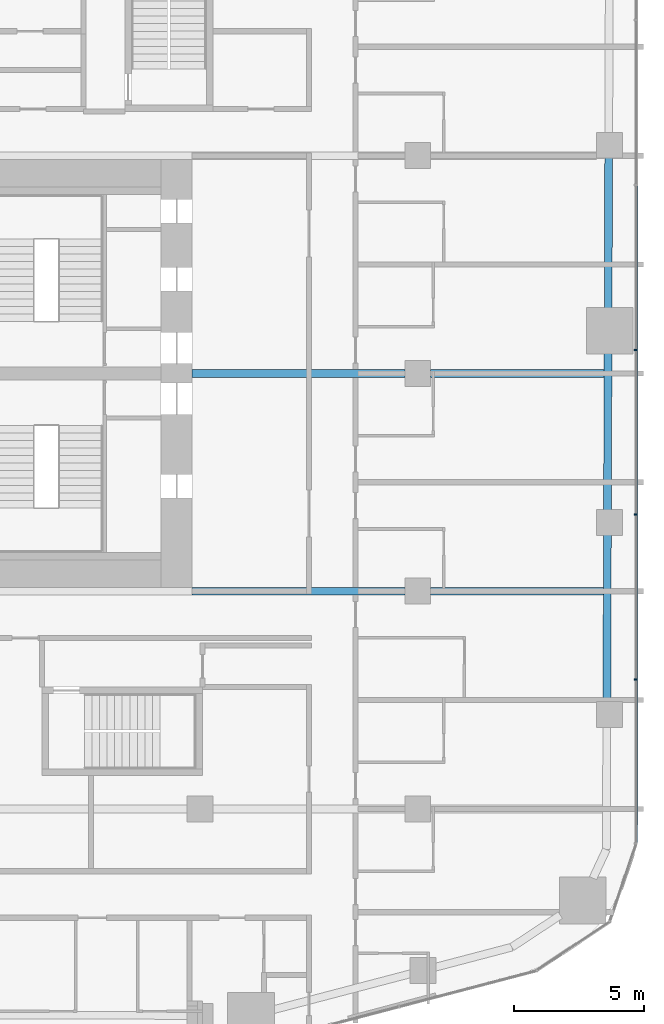
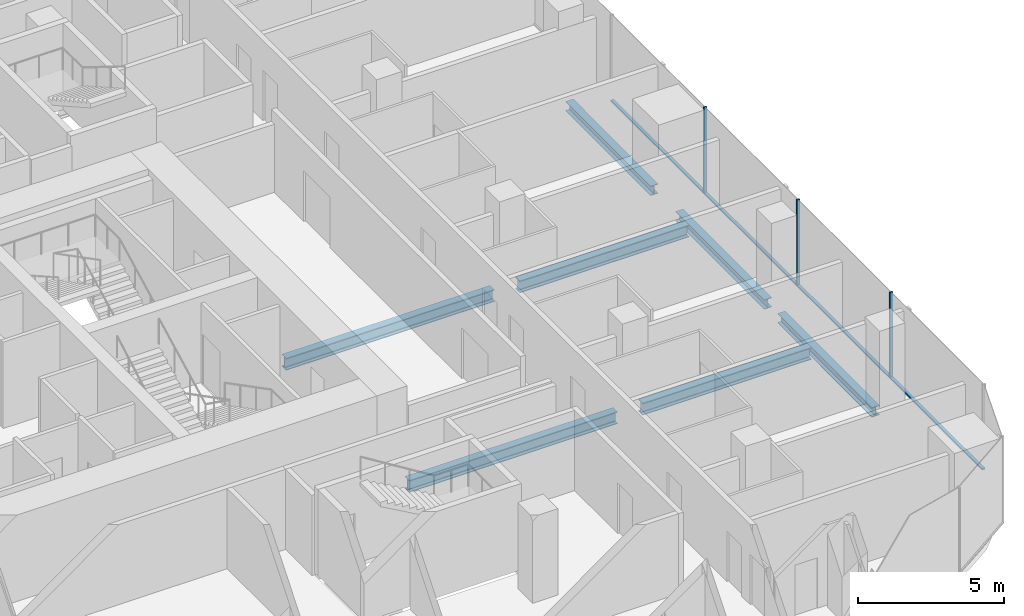
# One storey, part 7 of 26: 7 beams, 7 members, 1 element without a shape of its own.
"""IFC4 building model written with IfcOpenShell, lengths in metres."""

from ifc_helpers import new_model, si_unit, direction, frame, origin, origin_2d, place, context, subcontext, project, spatial, rectangle, i_section, extrude, material, layer, layer_set, material_profile, profile_set, type_object, element, aggregate, save


model = new_model("IFC4")

# Units and contexts
model_context = context("Model", 3, precision=1e-05, world=origin(), true_north=direction((0.0, 1.0)))
body_context = subcontext(model_context, "Body", "Model", "MODEL_VIEW")
ifc_project = project(units=[si_unit("LENGTHUNIT", "METRE"), si_unit("AREAUNIT", "SQUARE_METRE"), si_unit("VOLUMEUNIT", "CUBIC_METRE"), si_unit("PLANEANGLEUNIT", "RADIAN"), si_unit("MASSUNIT", "GRAM", prefix="KILO")], contexts=[model_context])

# Site, building, storey
site_placement = place(None, origin())
site = spatial("IfcSite", under=ifc_project, at=site_placement, CompositionType="ELEMENT")
building_placement = place(site_placement, origin())
building = spatial("IfcBuilding", under=site, at=building_placement, Name="Marenta Gate Hotel Tower", CompositionType="ELEMENT")
storey_placement = place(building_placement, frame((0.0, 0.0, 79.699951171875)))
storey = spatial("IfcBuildingStorey", under=building, at=storey_placement, Name="L18", CompositionType="ELEMENT", Elevation=79.699951171875)

# Beams
ifc_material_1 = material(Name="Steel S355", Category="steel")
ifc_material_profile_1 = material_profile(ifc_material_1, i_section(OverallWidth=0.300048828125, OverallDepth=0.39990234375, WebThickness=0.013427734375, FlangeThickness=0.02392578125, FilletRadius=0.027099609375, at=origin_2d()), Name="HEB 400")
ifc_profile_set_1 = profile_set([ifc_material_profile_1], Name="Steel S355")
beam_type_1 = type_object("IfcBeamType", Name="Edge beam HEB 400", PredefinedType="SPANDREL", material=ifc_profile_set_1)
beam_1_placement = place(storey_placement, frame((28.364013671875, 16.7431640625, -0.4599609375), z_axis=(-0.003306389661, -0.999994533879, 0.0), x_axis=(0.999994533879, -0.003306389661, 0.0)))
element("IfcBeam", 1, at=beam_1_placement, inside=storey, type_object=beam_type_1, Name="L18-EB-24", PredefinedType="SPANDREL", context=body_context, shape_type="SweptSolid", body=[
    extrude(i_section(OverallWidth=0.300048828125, OverallDepth=0.39990234375, WebThickness=0.013427734375, FlangeThickness=0.02392578125, FilletRadius=0.027099609375, at=origin_2d()), origin(), (0.0, 0.0, 1.0), 5.833251953125),
])
beam_2_placement = place(storey_placement, frame((28.3388671875, 9.18994140625, -0.4599609375), z_axis=(-0.003332378012, -0.999994447613, 0.0), x_axis=(0.999994447613, -0.003332378012, 0.0)))
element("IfcBeam", 2, at=beam_2_placement, inside=storey, type_object=beam_type_1, Name="L18-EB-25", PredefinedType="SPANDREL", context=body_context, shape_type="SweptSolid", body=[
    extrude(i_section(OverallWidth=0.300048828125, OverallDepth=0.39990234375, WebThickness=0.013427734375, FlangeThickness=0.02392578125, FilletRadius=0.027099609375, at=origin_2d()), origin(), (0.0, 0.0, 1.0), 6.080810546875),
])
beam_3_placement = place(storey_placement, frame((28.315673828125, 2.189208984375, -0.4599609375), z_axis=(-0.003352525703, -0.99999438027, 0.0), x_axis=(0.99999438027, -0.003352525703, 0.0)))
element("IfcBeam", 3, at=beam_3_placement, inside=storey, type_object=beam_type_1, Name="L18-EB-26", PredefinedType="SPANDREL", context=body_context, shape_type="SweptSolid", body=[
    extrude(i_section(OverallWidth=0.300048828125, OverallDepth=0.39990234375, WebThickness=0.013427734375, FlangeThickness=0.02392578125, FilletRadius=0.027099609375, at=origin_2d()), origin(), (0.0, 0.0, 1.0), 6.481201171875),
])
ifc_material_2 = material(Name="Steel S355", Category="steel")
ifc_material_profile_2 = material_profile(ifc_material_2, i_section(OverallWidth=0.300048828125, OverallDepth=0.5, WebThickness=0.014404296875, FlangeThickness=0.028076171875, FilletRadius=0.027099609375, at=origin_2d()), Name="HEB 500")
ifc_profile_set_2 = profile_set([ifc_material_profile_2], Name="Steel S355")
beam_type_2 = type_object("IfcBeamType", Name="Girder HEB 500", PredefinedType="BEAM", material=ifc_profile_set_2)
beam_4_placement = place(storey_placement, frame((12.300048828125, 0.0, -0.510009765625), z_axis=(1.0, 0.0, 0.0), x_axis=(0.0, 1.0, 0.0)))
element("IfcBeam", 4, at=beam_4_placement, inside=storey, type_object=beam_type_2, Name="L18-GD-11", PredefinedType="BEAM", context=body_context, shape_type="SweptSolid", body=[
    extrude(i_section(OverallWidth=0.300048828125, OverallDepth=0.5, WebThickness=0.014404296875, FlangeThickness=0.028076171875, FilletRadius=0.027099609375, at=origin_2d()), origin(), (0.0, 0.0, 1.0), 8.199951171875),
])
beam_5_placement = place(storey_placement, frame((21.5, 0.0, -0.510009765625), z_axis=(1.0, 0.0, 0.0), x_axis=(0.0, 1.0, 0.0)))
element("IfcBeam", 5, at=beam_5_placement, inside=storey, type_object=beam_type_2, Name="L18-GD-12", PredefinedType="BEAM", context=body_context, shape_type="SweptSolid", body=[
    extrude(i_section(OverallWidth=0.300048828125, OverallDepth=0.5, WebThickness=0.014404296875, FlangeThickness=0.028076171875, FilletRadius=0.027099609375, at=origin_2d()), origin(), (0.0, 0.0, 1.0), 6.658203125),
])
beam_6_placement = place(storey_placement, frame((12.300048828125, 8.39990234375, -0.510009765625), z_axis=(1.0, 0.0, 0.0), x_axis=(0.0, 1.0, 0.0)))
element("IfcBeam", 6, at=beam_6_placement, inside=storey, type_object=beam_type_2, Name="L18-GD-15", PredefinedType="BEAM", context=body_context, shape_type="SweptSolid", body=[
    extrude(i_section(OverallWidth=0.300048828125, OverallDepth=0.5, WebThickness=0.014404296875, FlangeThickness=0.028076171875, FilletRadius=0.027099609375, at=origin_2d()), origin(), (0.0, 0.0, 1.0), 8.199951171875),
])
beam_7_placement = place(storey_placement, frame((21.5, 8.39990234375, -0.510009765625), z_axis=(1.0, 0.0, 0.0), x_axis=(0.0, 1.0, 0.0)))
element("IfcBeam", 7, at=beam_7_placement, inside=storey, type_object=beam_type_2, Name="L18-GD-16", PredefinedType="BEAM", context=body_context, shape_type="SweptSolid", body=[
    extrude(i_section(OverallWidth=0.300048828125, OverallDepth=0.5, WebThickness=0.014404296875, FlangeThickness=0.028076171875, FilletRadius=0.027099609375, at=origin_2d()), origin(), (0.0, 0.0, 1.0), 6.686279296875),
])

# Curtain wall, members
ifc_material_3 = material(Name="Tinted insulated glass in bronze anodised frame", Category="glass")
ifc_layer = layer(ifc_material_3, 0.1201171875)
ifc_layer_set = layer_set([ifc_layer], Name="Tinted insulated glass in bronze anodised frame")
curtain_wall_type = type_object("IfcCurtainWallType", Name="Tower unitised curtain wall CW1", PredefinedType="NOTDEFINED", material=ifc_layer_set)
curtain_wall_placement = place(storey_placement, origin())
curtain_wall = element("IfcCurtainWall", 8, at=curtain_wall_placement, inside=storey, type_object=curtain_wall_type, Name="CW1 run G11", PredefinedType="NOTDEFINED")
ifc_material_4 = material(Name="Bronze anodised aluminium", Category="aluminium")
ifc_material_profile_3 = material_profile(ifc_material_4, rectangle(XDim=0.1201171875, YDim=0.06005859375, at=origin_2d()), Name="Mullion CW1 60x120 bronze anodised aluminium")
ifc_profile_set_3 = profile_set([ifc_material_profile_3], Name="Bronze anodised aluminium")
member_type_1 = type_object("IfcMemberType", Name="Mullion CW1 60x120 bronze anodised aluminium", PredefinedType="MULLION", material=ifc_profile_set_3)
member_1_placement = place(storey_placement, frame((29.4140625, -3.407958984375, 0.0), z_axis=(0.0, 0.0, 1.0), x_axis=(-1.0, 0.0, 0.0)))
member_1 = element("IfcMember", 9, at=member_1_placement, type_object=member_type_1, Name="CW1 mullion 2", PredefinedType="MULLION", context=body_context, shape_type="SweptSolid", body=[
    extrude(rectangle(XDim=0.1201171875, YDim=0.06005859375, at=origin_2d()), origin(), (0.0, 0.0, 1.0), 3.60009765625),
])
member_2_placement = place(storey_placement, frame((29.4140625, 2.951904296875, 0.0), z_axis=(0.0, 0.0, 1.0), x_axis=(-1.0, 0.0, 0.0)))
member_2 = element("IfcMember", 10, at=member_2_placement, type_object=member_type_1, Name="CW1 mullion 3", PredefinedType="MULLION", context=body_context, shape_type="SweptSolid", body=[
    extrude(rectangle(XDim=0.1201171875, YDim=0.06005859375, at=origin_2d()), origin(), (0.0, 0.0, 1.0), 3.60009765625),
])
member_3_placement = place(storey_placement, frame((29.4140625, 9.31201171875, 0.0), z_axis=(0.0, 0.0, 1.0), x_axis=(-1.0, 0.0, 0.0)))
member_3 = element("IfcMember", 11, at=member_3_placement, type_object=member_type_1, Name="CW1 mullion 4", PredefinedType="MULLION", context=body_context, shape_type="SweptSolid", body=[
    extrude(rectangle(XDim=0.1201171875, YDim=0.06005859375, at=origin_2d()), origin(), (0.0, 0.0, 1.0), 3.60009765625),
])
ifc_material_5 = material(Name="Bronze anodised aluminium", Category="aluminium")
ifc_material_profile_4 = material_profile(ifc_material_5, rectangle(XDim=0.1201171875, YDim=0.06005859375, at=origin_2d()), Name="Transom CW1 60x120 bronze anodised aluminium")
ifc_profile_set_4 = profile_set([ifc_material_profile_4], Name="Bronze anodised aluminium")
member_type_2 = type_object("IfcMemberType", Name="Transom CW1 60x120 bronze anodised aluminium", PredefinedType="USERDEFINED", material=ifc_profile_set_4)
member_4_placement = place(storey_placement, frame((29.4140625, -9.7080078125, 0.030029296875), z_axis=(0.0, 1.0, 0.0), x_axis=(-1.0, 0.0, 0.0)))
member_4 = element("IfcMember", 12, at=member_4_placement, type_object=member_type_2, Name="CW1 transom 1.1", ObjectType="TRANSOM", PredefinedType="USERDEFINED", context=body_context, shape_type="SweptSolid", body=[
    extrude(rectangle(XDim=0.1201171875, YDim=0.06005859375, at=origin_2d()), origin(), (0.0, 0.0, 1.0), 6.27001953125),
])
member_5_placement = place(storey_placement, frame((29.4140625, -3.3779296875, 0.030029296875), z_axis=(0.0, 1.0, 0.0), x_axis=(-1.0, 0.0, 0.0)))
member_5 = element("IfcMember", 13, at=member_5_placement, type_object=member_type_2, Name="CW1 transom 2.1", ObjectType="TRANSOM", PredefinedType="USERDEFINED", context=body_context, shape_type="SweptSolid", body=[
    extrude(rectangle(XDim=0.1201171875, YDim=0.06005859375, at=origin_2d()), origin(), (0.0, 0.0, 1.0), 6.2998046875),
])
member_6_placement = place(storey_placement, frame((29.4140625, 2.98193359375, 0.030029296875), z_axis=(0.0, 1.0, 0.0), x_axis=(-1.0, 0.0, 0.0)))
member_6 = element("IfcMember", 14, at=member_6_placement, type_object=member_type_2, Name="CW1 transom 3.1", ObjectType="TRANSOM", PredefinedType="USERDEFINED", context=body_context, shape_type="SweptSolid", body=[
    extrude(rectangle(XDim=0.1201171875, YDim=0.06005859375, at=origin_2d()), origin(), (0.0, 0.0, 1.0), 6.300048828125),
])
member_7_placement = place(storey_placement, frame((29.4140625, 9.342041015625, 0.030029296875), z_axis=(0.0, 1.0, 0.0), x_axis=(-1.0, 0.0, 0.0)))
member_7 = element("IfcMember", 15, at=member_7_placement, type_object=member_type_2, Name="CW1 transom 4.1", ObjectType="TRANSOM", PredefinedType="USERDEFINED", context=body_context, shape_type="SweptSolid", body=[
    extrude(rectangle(XDim=0.1201171875, YDim=0.06005859375, at=origin_2d()), origin(), (0.0, 0.0, 1.0), 6.2998046875),
])
aggregate(curtain_wall, [member_1, member_2, member_3, member_4, member_5, member_6, member_7])

save(model, "model.ifc")
